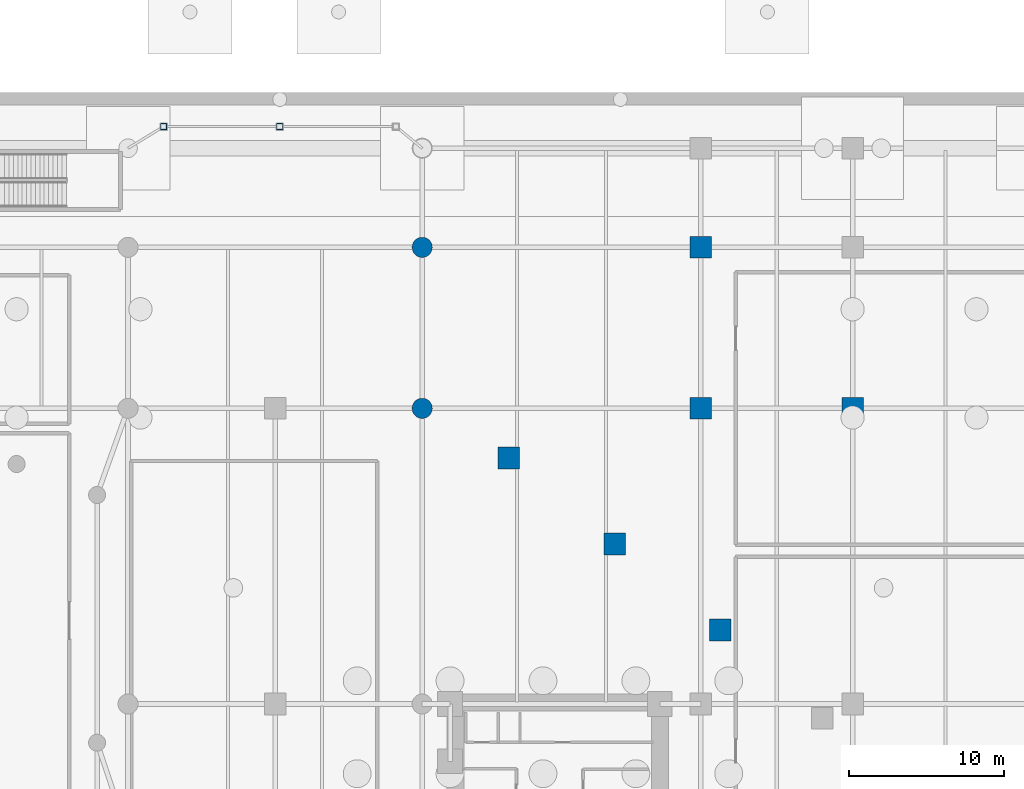
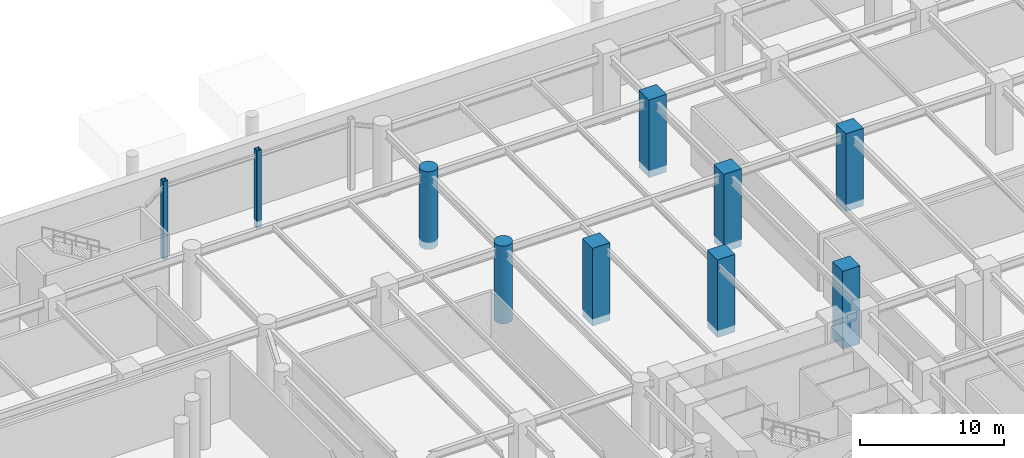
# One storey, part 10 of 37: 10 columns.
"""IFC4 building model written with IfcOpenShell, lengths in metres."""

from ifc_helpers import new_model, si_unit, direction, frame, origin, origin_2d, place, context, subcontext, project, spatial, rectangle, hollow_rectangle, circle, extrude, material, material_profile, profile_set, type_object, element, save


model = new_model("IFC4")

# Units and contexts
model_context = context("Model", 3, precision=1e-05, world=origin(), true_north=direction((0.0, 1.0)))
body_context = subcontext(model_context, "Body", "Model", "MODEL_VIEW")
ifc_project = project(units=[si_unit("LENGTHUNIT", "METRE"), si_unit("AREAUNIT", "SQUARE_METRE"), si_unit("VOLUMEUNIT", "CUBIC_METRE"), si_unit("PLANEANGLEUNIT", "RADIAN"), si_unit("MASSUNIT", "GRAM", prefix="KILO")], contexts=[model_context])

# Site, building, storey
site_placement = place(None, origin())
site = spatial("IfcSite", under=ifc_project, at=site_placement, CompositionType="ELEMENT")
building_placement = place(site_placement, origin())
building = spatial("IfcBuilding", under=site, at=building_placement, Name="Narakoshi Arena Tower", CompositionType="ELEMENT")
storey_placement = place(building_placement, frame((0.0, 0.0, -6.0)))
storey = spatial("IfcBuildingStorey", under=building, at=storey_placement, Name="B01", CompositionType="ELEMENT", Elevation=-6.0)

# Columns
ifc_material_1 = material(Name="Concrete C60/75", Category="concrete")
ifc_material_profile_1 = material_profile(ifc_material_1, circle(Radius=0.64990234375, at=origin_2d()), Name="RCC1300")
ifc_profile_set_1 = profile_set([ifc_material_profile_1], Name="Concrete C60/75")
column_type_1 = type_object("IfcColumnType", Name="COL-CIR1300", PredefinedType="PILASTER", material=ifc_profile_set_1)
for number, where, z_axis, x_axis, name in (
    (1, (70.199951171875, 75.60009765625, -0.60009765625), (0.0, 0.0, 1.0), (1.0, 0.0, 0.0), "B01 Podium Column PC39"),
    (2, (70.199951171875, 86.0, -0.60009765625), (0.0, 0.0, 1.0), (1.0, 0.0, 0.0), "B01 Podium Column PC40"),
):
    element("IfcColumn", number, at=place(storey_placement, frame(where, z_axis=z_axis, x_axis=x_axis)), inside=storey, type_object=column_type_1, Name=name, PredefinedType="PILASTER", context=body_context, shape_type="SweptSolid", body=[
        extrude(circle(Radius=0.64990234375, at=origin_2d()), origin(), (0.0, 0.0, 1.0), 6.60009765625),
    ])
ifc_material_profile_2 = material_profile(ifc_material_1, rectangle(XDim=1.39990234375, YDim=1.39990234375, at=origin_2d()), Name="RC1400x1400")
ifc_profile_set_2 = profile_set([ifc_material_profile_2], Name="Concrete C60/75")
column_type_2 = type_object("IfcColumnType", Name="COL-RC1400", PredefinedType="COLUMN", material=ifc_profile_set_2)
for number, where, z_axis, x_axis, name in (
    (3, (88.199951171875, 75.60009765625, -0.60009765625), (0.0, 0.0, 1.0), (1.0, 0.0, 0.0), "B01 Podium Column PC48"),
    (4, (88.199951171875, 86.0, -0.60009765625), (0.0, 0.0, 1.0), (1.0, 0.0, 0.0), "B01 Podium Column PC49"),
    (5, (98.0, 75.60009765625, -0.60009765625), (0.0, 0.0, 1.0), (1.0, 0.0, 0.0), "B01 Podium Column PC57"),
    (6, (89.459716796875, 61.28515625, -0.60009765625), (0.0, 0.0, 1.0), (1.0, 0.0, 0.0), "B01 Tower Plumb Pier B1P09"),
    (7, (82.626953125, 66.838623046875, -0.60009765625), (0.0, 0.0, 1.0), (1.0, 0.0, 0.0), "B01 Tower Plumb Pier B1P10"),
    (8, (75.794189453125, 72.392333984375, -0.60009765625), (0.0, 0.0, 1.0), (1.0, 0.0, 0.0), "B01 Tower Plumb Pier B1P11"),
):
    element("IfcColumn", number, at=place(storey_placement, frame(where, z_axis=z_axis, x_axis=x_axis)), inside=storey, type_object=column_type_2, Name=name, PredefinedType="COLUMN", context=body_context, shape_type="SweptSolid", body=[
        extrude(rectangle(XDim=1.39990234375, YDim=1.39990234375, at=origin_2d()), origin(), (0.0, 0.0, 1.0), 6.60009765625),
    ])
ifc_material_2 = material(Name="Structural steel S355J2", Category="steel")
ifc_material_profile_3 = material_profile(ifc_material_2, hollow_rectangle(XDim=0.39990234375, YDim=0.39990234375, WallThickness=0.02001953125, OuterFilletRadius=0.0400390625, at=origin_2d()), Name="SHS400x400x20")
ifc_profile_set_3 = profile_set([ifc_material_profile_3], Name="Structural steel S355J2")
column_type_3 = type_object("IfcColumnType", Name="COL-SHS400", PredefinedType="COLUMN", material=ifc_profile_set_3)
for number, where, z_axis, x_axis, name in (
    (9, (53.5, 93.800048828125, -0.60009765625), (0.0, 0.0, 1.0), (1.0, 0.0, 0.0), "B01 Concourse Canopy Column CAN04"),
    (10, (61.0, 93.800048828125, -0.60009765625), (0.0, 0.0, 1.0), (1.0, 0.0, 0.0), "B01 Concourse Canopy Column CAN05"),
):
    element("IfcColumn", number, at=place(storey_placement, frame(where, z_axis=z_axis, x_axis=x_axis)), inside=storey, type_object=column_type_3, Name=name, PredefinedType="COLUMN", context=body_context, shape_type="SweptSolid", body=[
        extrude(hollow_rectangle(XDim=0.39990234375, YDim=0.39990234375, WallThickness=0.02001953125, OuterFilletRadius=0.0400390625, at=origin_2d()), origin(), (0.0, 0.0, 1.0), 6.60009765625),
    ])

save(model, "model.ifc")
